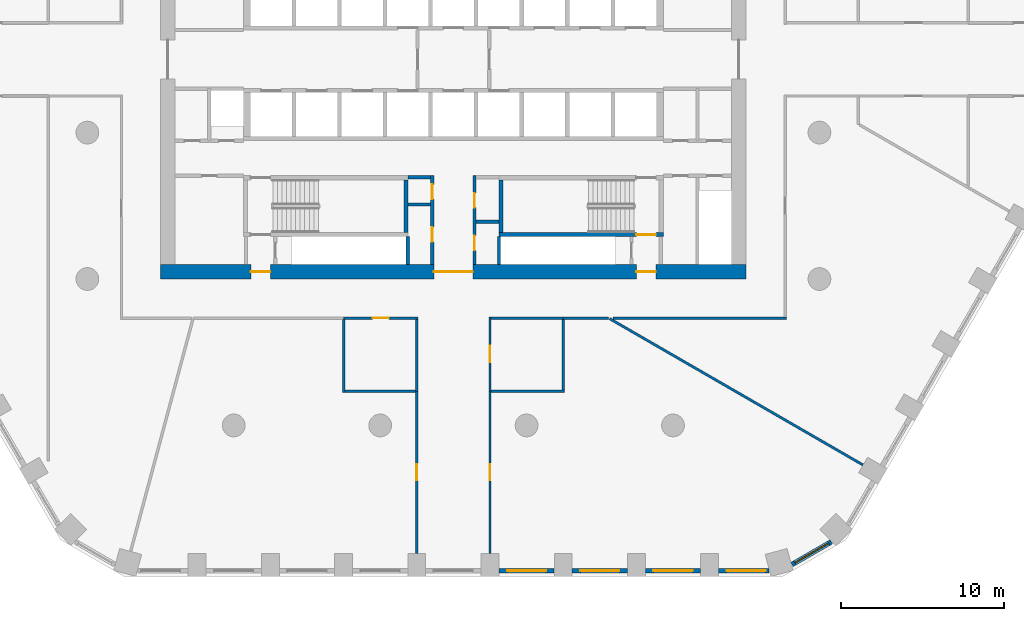
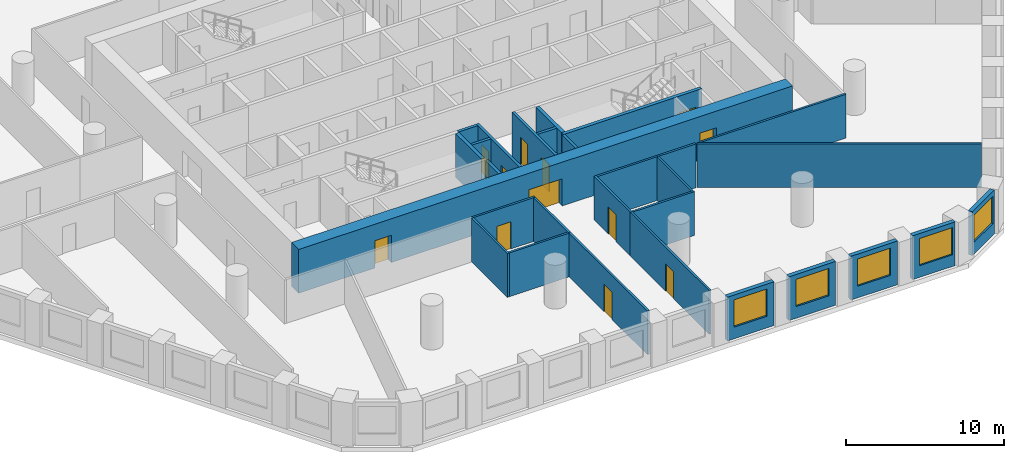
# One storey, part 3 of 10: 29 walls, 12 doors, 5 windows, 17 openings.
"""IFC4 building model written with IfcOpenShell, lengths in metres."""

from ifc_helpers import new_model, si_unit, direction, frame, frame_2d, origin, place, context, subcontext, project, spatial, rectangle, extrude, material, layer, layer_set, type_object, element, fill, save


model = new_model("IFC4")

# Units and contexts
model_context = context("Model", 3, precision=1e-05, world=origin(), true_north=direction((0.0, 1.0)))
body_context = subcontext(model_context, "Body", "Model", "MODEL_VIEW")
ifc_project = project(units=[si_unit("LENGTHUNIT", "METRE"), si_unit("AREAUNIT", "SQUARE_METRE"), si_unit("VOLUMEUNIT", "CUBIC_METRE"), si_unit("PLANEANGLEUNIT", "RADIAN"), si_unit("MASSUNIT", "GRAM", prefix="KILO")], contexts=[model_context])

# Site, building, storey
site_placement = place(None, origin())
site = spatial("IfcSite", under=ifc_project, at=site_placement, CompositionType="ELEMENT")
building_placement = place(site_placement, origin())
building = spatial("IfcBuilding", under=site, at=building_placement, Name="Dhurran Vertical Campus", CompositionType="ELEMENT")
storey_placement = place(building_placement, frame((0.0, 0.0, 72.89990234375)))
storey = spatial("IfcBuildingStorey", under=building, at=storey_placement, Name="L17", CompositionType="ELEMENT", Elevation=72.89990234375)

# Wall, opening, window
ifc_material_1 = material(Name="Precast concrete C50/60", Category="concrete")
ifc_layer_1 = layer(ifc_material_1, 0.300048828125)
ifc_layer_set_1 = layer_set([ifc_layer_1], Name="Precast concrete C50/60")
wall_type_1 = type_object("IfcWallType", Name="Precast spandrel wall 300", PredefinedType="SOLIDWALL", material=ifc_layer_set_1)
wall_1_placement = place(storey_placement, frame((2.800537109375, -31.4296875, 0.0), z_axis=(0.0, 0.0, 1.0), x_axis=(1.0, 0.0, 0.0)))
wall_1 = element("IfcWall", 1, at=wall_1_placement, inside=storey, type_object=wall_type_1, Name="EW1 L17.05", PredefinedType="SOLIDWALL", context=body_context, shape_type="SweptSolid", body=[
    extrude(rectangle(XDim=3.39892578125, YDim=0.300048828125, at=frame_2d((1.699462890625, 0.0))), origin(), (0.0, 0.0, 1.0), 3.375),
])
opening_1_placement = place(wall_1_placement, frame((0.49951171875, 0.0, 0.89990234375)))
opening_1 = element("IfcOpeningElement", 2, at=opening_1_placement, cuts=wall_1, Name="Opening WT1", PredefinedType="OPENING", context=body_context, shape_type="SweptSolid", body=[
    extrude(rectangle(XDim=2.39990234375, YDim=2.10009765625, at=frame_2d((1.199951171875, 1.050048828125))), frame((0.0, 0.159912109375, 0.0), z_axis=(0.0, -1.0, 0.0), x_axis=(1.0, 0.0, 0.0)), (0.0, 0.0, 1.0), 0.320068359375),
])
ifc_material_2 = material(Name="Aluminium frame with solar-control glass", Category="aluminium")
window_type = type_object("IfcWindowType", Name="Punched window 2400 x 2100", PartitioningType="SINGLE_PANEL", PredefinedType="WINDOW", material=ifc_material_2)
window_1_placement = place(opening_1_placement, origin())
window_1 = element("IfcWindow", 3, at=window_1_placement, inside=storey, type_object=window_type, Name="WT1 L17.05", OverallHeight=2.10009765625, OverallWidth=2.39990234375, PartitioningType="SINGLE_PANEL", PredefinedType="WINDOW", context=body_context, shape_type="SweptSolid", body=[
    extrude(rectangle(XDim=2.39990234375, YDim=2.10009765625, at=frame_2d((1.199951171875, 1.050048828125))), frame((0.0, 0.030029296875, 0.0), z_axis=(0.0, -1.0, 0.0), x_axis=(1.0, 0.0, 0.0)), (0.0, 0.0, 1.0), 0.06005859375),
])
fill(opening_1, window_1)

wall_2_placement = place(storey_placement, frame((7.300537109375, -31.4296875, 0.0), z_axis=(0.0, 0.0, 1.0), x_axis=(1.0, 0.0, 0.0)))
wall_2 = element("IfcWall", 4, at=wall_2_placement, inside=storey, type_object=wall_type_1, Name="EW1 L17.06", PredefinedType="SOLIDWALL", context=body_context, shape_type="SweptSolid", body=[
    extrude(rectangle(XDim=3.39892578125, YDim=0.300048828125, at=frame_2d((1.699462890625, 0.0))), origin(), (0.0, 0.0, 1.0), 3.375),
])
opening_2_placement = place(wall_2_placement, frame((0.49951171875, 0.0, 0.89990234375)))
opening_2 = element("IfcOpeningElement", 5, at=opening_2_placement, cuts=wall_2, Name="Opening WT1", PredefinedType="OPENING", context=body_context, shape_type="SweptSolid", body=[
    extrude(rectangle(XDim=2.39990234375, YDim=2.10009765625, at=frame_2d((1.199951171875, 1.050048828125))), frame((0.0, 0.159912109375, 0.0), z_axis=(0.0, -1.0, 0.0), x_axis=(1.0, 0.0, 0.0)), (0.0, 0.0, 1.0), 0.320068359375),
])
window_2_placement = place(opening_2_placement, origin())
window_2 = element("IfcWindow", 6, at=window_2_placement, inside=storey, type_object=window_type, Name="WT1 L17.06", OverallHeight=2.10009765625, OverallWidth=2.39990234375, PartitioningType="SINGLE_PANEL", PredefinedType="WINDOW", context=body_context, shape_type="SweptSolid", body=[
    extrude(rectangle(XDim=2.39990234375, YDim=2.10009765625, at=frame_2d((1.199951171875, 1.050048828125))), frame((0.0, 0.030029296875, 0.0), z_axis=(0.0, -1.0, 0.0), x_axis=(1.0, 0.0, 0.0)), (0.0, 0.0, 1.0), 0.06005859375),
])
fill(opening_2, window_2)

wall_3_placement = place(storey_placement, frame((11.800537109375, -31.4296875, 0.0), z_axis=(0.0, 0.0, 1.0), x_axis=(1.0, 0.0, 0.0)))
wall_3 = element("IfcWall", 7, at=wall_3_placement, inside=storey, type_object=wall_type_1, Name="EW1 L17.07", PredefinedType="SOLIDWALL", context=body_context, shape_type="SweptSolid", body=[
    extrude(rectangle(XDim=3.39892578125, YDim=0.300048828125, at=frame_2d((1.699462890625, 0.0))), origin(), (0.0, 0.0, 1.0), 3.375),
])
opening_3_placement = place(wall_3_placement, frame((0.49951171875, 0.0, 0.89990234375)))
opening_3 = element("IfcOpeningElement", 8, at=opening_3_placement, cuts=wall_3, Name="Opening WT1", PredefinedType="OPENING", context=body_context, shape_type="SweptSolid", body=[
    extrude(rectangle(XDim=2.39990234375, YDim=2.10009765625, at=frame_2d((1.199951171875, 1.050048828125))), frame((0.0, 0.159912109375, 0.0), z_axis=(0.0, -1.0, 0.0), x_axis=(1.0, 0.0, 0.0)), (0.0, 0.0, 1.0), 0.320068359375),
])
window_3_placement = place(opening_3_placement, origin())
window_3 = element("IfcWindow", 9, at=window_3_placement, inside=storey, type_object=window_type, Name="WT1 L17.07", OverallHeight=2.10009765625, OverallWidth=2.39990234375, PartitioningType="SINGLE_PANEL", PredefinedType="WINDOW", context=body_context, shape_type="SweptSolid", body=[
    extrude(rectangle(XDim=2.39990234375, YDim=2.10009765625, at=frame_2d((1.199951171875, 1.050048828125))), frame((0.0, 0.030029296875, 0.0), z_axis=(0.0, -1.0, 0.0), x_axis=(1.0, 0.0, 0.0)), (0.0, 0.0, 1.0), 0.06005859375),
])
fill(opening_3, window_3)

wall_4_placement = place(storey_placement, frame((16.300537109375, -31.4296875, 0.0), z_axis=(0.0, 0.0, 1.0), x_axis=(1.0, 0.0, 0.0)))
wall_4 = element("IfcWall", 10, at=wall_4_placement, inside=storey, type_object=wall_type_1, Name="EW1 L17.08", PredefinedType="SOLIDWALL", context=body_context, shape_type="SweptSolid", body=[
    extrude(rectangle(XDim=3.090576171875, YDim=0.300048828125, at=frame_2d((1.54541015625, 0.0))), origin(), (0.0, 0.0, 1.0), 3.375),
])
opening_4_placement = place(wall_4_placement, frame((0.49951171875, 0.0, 0.89990234375)))
opening_4 = element("IfcOpeningElement", 11, at=opening_4_placement, cuts=wall_4, Name="Opening WT1", PredefinedType="OPENING", context=body_context, shape_type="SweptSolid", body=[
    extrude(rectangle(XDim=2.39990234375, YDim=2.10009765625, at=frame_2d((1.199951171875, 1.050048828125))), frame((0.0, 0.159912109375, 0.0), z_axis=(0.0, -1.0, 0.0), x_axis=(1.0, 0.0, 0.0)), (0.0, 0.0, 1.0), 0.320068359375),
])
window_4_placement = place(opening_4_placement, origin())
window_4 = element("IfcWindow", 12, at=window_4_placement, inside=storey, type_object=window_type, Name="WT1 L17.08", OverallHeight=2.10009765625, OverallWidth=2.39990234375, PartitioningType="SINGLE_PANEL", PredefinedType="WINDOW", context=body_context, shape_type="SweptSolid", body=[
    extrude(rectangle(XDim=2.39990234375, YDim=2.10009765625, at=frame_2d((1.199951171875, 1.050048828125))), frame((0.0, 0.030029296875, 0.0), z_axis=(0.0, -1.0, 0.0), x_axis=(1.0, 0.0, 0.0)), (0.0, 0.0, 1.0), 0.06005859375),
])
fill(opening_4, window_4)

wall_5_placement = place(storey_placement, frame((20.81884765625, -31.047119140625, 0.0), z_axis=(0.0, 0.0, 1.0), x_axis=(0.866020456713, 0.500008568482, 0.0)))
wall_5 = element("IfcWall", 13, at=wall_5_placement, inside=storey, type_object=wall_type_1, Name="EW1 L17.09", PredefinedType="SOLIDWALL", context=body_context, shape_type="SweptSolid", body=[
    extrude(rectangle(XDim=2.7822265625, YDim=0.300048828125, at=frame_2d((1.39111328125, 0.0))), origin(), (0.0, 0.0, 1.0), 3.375),
])
opening_5_placement = place(wall_5_placement, frame((0.191162109375, 0.0, 0.89990234375)))
opening_5 = element("IfcOpeningElement", 14, at=opening_5_placement, cuts=wall_5, Name="Opening WT1", PredefinedType="OPENING", context=body_context, shape_type="SweptSolid", body=[
    extrude(rectangle(XDim=2.39990234375, YDim=2.10009765625, at=frame_2d((1.199951171875, 1.050048828125))), frame((0.0, 0.159912109375, 0.0), z_axis=(0.0, -1.0, 0.0), x_axis=(1.0, 0.0, 0.0)), (0.0, 0.0, 1.0), 0.320068359375),
])
window_5_placement = place(opening_5_placement, origin())
window_5 = element("IfcWindow", 15, at=window_5_placement, inside=storey, type_object=window_type, Name="WT1 L17.09", OverallHeight=2.10009765625, OverallWidth=2.39990234375, PartitioningType="SINGLE_PANEL", PredefinedType="WINDOW", context=body_context, shape_type="SweptSolid", body=[
    extrude(rectangle(XDim=2.39990234375, YDim=2.10009765625, at=frame_2d((1.199951171875, 1.050048828125))), frame((0.0, 0.030029296875, 0.0), z_axis=(0.0, -1.0, 0.0), x_axis=(1.0, 0.0, 0.0)), (0.0, 0.0, 1.0), 0.06005859375),
])
fill(opening_5, window_5)

# Wall, openings, doors
ifc_material_3 = material(Name="Concrete C60/75", Category="concrete")
ifc_layer_2 = layer(ifc_material_3, 0.89990234375)
ifc_layer_set_2 = layer_set([ifc_layer_2], Name="Concrete C60/75")
wall_type_2 = type_object("IfcWallType", Name="co-CORE-WALL-C0-900", PredefinedType="SHEAR", material=ifc_layer_set_2)
wall_6_placement = place(storey_placement, frame((-18.0, -13.050048828125, 0.0), z_axis=(0.0, 0.0, 1.0), x_axis=(1.0, 0.0, 0.0)))
wall_6 = element("IfcWall", 16, at=wall_6_placement, inside=storey, type_object=wall_type_2, Name="Core wall S L17", PredefinedType="SHEAR", context=body_context, shape_type="SweptSolid", body=[
    extrude(rectangle(XDim=36.0, YDim=0.89990234375, at=frame_2d((18.0, 0.0))), origin(), (0.0, 0.0, 1.0), 3.375),
])
opening_6_placement = place(wall_6_placement, frame((16.800048828125, 0.0, 0.0)))
opening_6 = element("IfcOpeningElement", 17, at=opening_6_placement, cuts=wall_6, Name="Opening CV2", PredefinedType="OPENING", context=body_context, shape_type="SweptSolid", body=[
    extrude(rectangle(XDim=2.39990234375, YDim=2.10009765625, at=frame_2d((1.199951171875, 1.050048828125))), frame((0.0, 0.4599609375, 0.0), z_axis=(0.0, -1.0, 0.0), x_axis=(1.0, 0.0, 0.0)), (0.0, 0.0, 1.0), 0.919921875),
])
opening_7_placement = place(wall_6_placement, frame((5.550048828125, 0.0, 0.0)))
opening_7 = element("IfcOpeningElement", 18, at=opening_7_placement, cuts=wall_6, Name="Opening XD3", PredefinedType="OPENING", context=body_context, shape_type="SweptSolid", body=[
    extrude(rectangle(XDim=1.199951171875, YDim=2.10009765625, at=frame_2d((0.60009765625, 1.050048828125))), frame((0.0, 0.4599609375, 0.0), z_axis=(0.0, -1.0, 0.0), x_axis=(1.0, 0.0, 0.0)), (0.0, 0.0, 1.0), 0.919921875),
])
opening_8_placement = place(wall_6_placement, frame((29.25, 0.0, 0.0)))
opening_8 = element("IfcOpeningElement", 19, at=opening_8_placement, cuts=wall_6, Name="Opening XD4", PredefinedType="OPENING", context=body_context, shape_type="SweptSolid", body=[
    extrude(rectangle(XDim=1.199951171875, YDim=2.10009765625, at=frame_2d((0.60009765625, 1.050048828125))), frame((0.0, 0.4599609375, 0.0), z_axis=(0.0, -1.0, 0.0), x_axis=(1.0, 0.0, 0.0)), (0.0, 0.0, 1.0), 0.919921875),
])
ifc_material_4 = material(Name="Fire-rated glazed door set")
door_type_1 = type_object("IfcDoorType", Name="co-D-LOBBY 2400x2100", OperationType="DOUBLE_DOOR_DOUBLE_SWING", PredefinedType="DOOR", material=ifc_material_4)
door_1_placement = place(opening_6_placement, origin())
door_1 = element("IfcDoor", 20, at=door_1_placement, inside=storey, type_object=door_type_1, Name="Core vestibule door S L17", OperationType="DOUBLE_DOOR_DOUBLE_SWING", OverallHeight=2.10009765625, OverallWidth=2.39990234375, PredefinedType="DOOR", context=body_context, shape_type="SweptSolid", body=[
    extrude(rectangle(XDim=2.39990234375, YDim=2.10009765625, at=frame_2d((1.199951171875, 1.050048828125))), frame((0.0, 0.02490234375, 0.0), z_axis=(0.0, -1.0, 0.0), x_axis=(1.0, 0.0, 0.0)), (0.0, 0.0, 1.0), 0.050048828125),
])
fill(opening_6, door_1)
ifc_material_5 = material(Name="Fire-rated steel door set", Category="steel")
door_type_2 = type_object("IfcDoorType", Name="co-D-STAIR-EXIT 1200x2100", OperationType="SINGLE_SWING_RIGHT", PredefinedType="DOOR", material=ifc_material_5)
door_2_placement = place(opening_7_placement, origin())
door_2 = element("IfcDoor", 21, at=door_2_placement, inside=storey, type_object=door_type_2, Name="Stair ST3 exit door L17", OperationType="SINGLE_SWING_RIGHT", OverallHeight=2.10009765625, OverallWidth=1.199951171875, PredefinedType="DOOR", context=body_context, shape_type="SweptSolid", body=[
    extrude(rectangle(XDim=1.199951171875, YDim=2.10009765625, at=frame_2d((0.60009765625, 1.050048828125))), frame((0.0, 0.02490234375, 0.0), z_axis=(0.0, -1.0, 0.0), x_axis=(1.0, 0.0, 0.0)), (0.0, 0.0, 1.0), 0.050048828125),
])
fill(opening_7, door_2)
door_3_placement = place(opening_8_placement, origin())
door_3 = element("IfcDoor", 22, at=door_3_placement, inside=storey, type_object=door_type_2, Name="Stair ST4 exit door L17", OperationType="SINGLE_SWING_RIGHT", OverallHeight=2.10009765625, OverallWidth=1.199951171875, PredefinedType="DOOR", context=body_context, shape_type="SweptSolid", body=[
    extrude(rectangle(XDim=1.199951171875, YDim=2.10009765625, at=frame_2d((0.60009765625, 1.050048828125))), frame((0.0, 0.02490234375, 0.0), z_axis=(0.0, -1.0, 0.0), x_axis=(1.0, 0.0, 0.0)), (0.0, 0.0, 1.0), 0.050048828125),
])
fill(opening_8, door_3)

# Walls
ifc_material_6 = material(Name="Fire-rated masonry blockwork", Category="masonry")
ifc_layer_3 = layer(ifc_material_6, 0.199951171875)
ifc_layer_set_3 = layer_set([ifc_layer_3], Name="Fire-rated masonry blockwork")
wall_type_3 = type_object("IfcWallType", Name="co-FIRE-PARTITION-200", PredefinedType="PARTITIONING", material=ifc_layer_set_3)
for number, where, z_axis, x_axis, name in (
    (23, (-2.800048828125, -7.25, 0.0), (0.0, 0.0, 1.0), (1.0, 0.0, 0.0), "Core partition sl-SW-S L17"),
    (24, (-2.800048828125, -8.925048828125, 0.0), (0.0, 0.0, 1.0), (1.0, 0.0, 0.0), "Core partition sl-SW-cut0 L17"),
    (25, (1.39990234375, -9.97509765625, 0.0), (0.0, 0.0, 1.0), (1.0, 0.0, 0.0), "Core partition sl-SE-cut0 L17"),
):
    element("IfcWall", number, at=place(storey_placement, frame(where, z_axis=z_axis, x_axis=x_axis)), inside=storey, type_object=wall_type_3, Name=name, PredefinedType="PARTITIONING", context=body_context, shape_type="SweptSolid", body=[
        extrude(rectangle(XDim=1.400146484375, YDim=0.199951171875, at=frame_2d((0.7001953125, 0.0))), origin(), (0.0, 0.0, 1.0), 3.375),
    ])

# Wall, openings, doors
wall_7_placement = place(storey_placement, frame((-1.300048828125, -12.60009765625, 0.0), z_axis=(0.0, 0.0, 1.0), x_axis=(0.0, 1.0, 0.0)))
wall_7 = element("IfcWall", 26, at=wall_7_placement, inside=storey, type_object=wall_type_3, Name="Core partition vest-SW L17", PredefinedType="PARTITIONING", context=body_context, shape_type="SweptSolid", body=[
    extrude(rectangle(XDim=5.4501953125, YDim=0.199951171875, at=frame_2d((2.72509765625, 0.0))), origin(), (0.0, 0.0, 1.0), 3.375),
])
opening_9_placement = place(wall_7_placement, frame((1.387451171875, 0.0, 0.0)))
opening_9 = element("IfcOpeningElement", 27, at=opening_9_placement, cuts=wall_7, Name="Opening T04-C1", PredefinedType="OPENING", context=body_context, shape_type="SweptSolid", body=[
    extrude(rectangle(XDim=0.89990234375, YDim=2.10009765625, at=frame_2d((0.449951171875, 1.050048828125))), frame((0.0, 0.10986328125, 0.0), z_axis=(0.0, -1.0, 0.0), x_axis=(1.0, 0.0, 0.0)), (0.0, 0.0, 1.0), 0.219970703125),
])
opening_10_placement = place(wall_7_placement, frame((4.012451171875, 0.0, 0.0)))
opening_10 = element("IfcOpeningElement", 28, at=opening_10_placement, cuts=wall_7, Name="Opening T04-C2", PredefinedType="OPENING", context=body_context, shape_type="SweptSolid", body=[
    extrude(rectangle(XDim=0.89990234375, YDim=2.10009765625, at=frame_2d((0.449951171875, 1.050048828125))), frame((0.0, 0.10986328125, 0.0), z_axis=(0.0, -1.0, 0.0), x_axis=(1.0, 0.0, 0.0)), (0.0, 0.0, 1.0), 0.219970703125),
])
ifc_material_7 = material(Name="Fire-rated timber door set", Category="wood")
door_type_3 = type_object("IfcDoorType", Name="co-D-ROOM 900x2100", OperationType="SINGLE_SWING_LEFT", PredefinedType="DOOR", material=ifc_material_7)
door_4_placement = place(opening_9_placement, origin())
door_4 = element("IfcDoor", 29, at=door_4_placement, inside=storey, type_object=door_type_3, Name="Housekeeping store door L17", OperationType="SINGLE_SWING_LEFT", OverallHeight=2.10009765625, OverallWidth=0.89990234375, PredefinedType="DOOR", context=body_context, shape_type="SweptSolid", body=[
    extrude(rectangle(XDim=0.89990234375, YDim=2.10009765625, at=frame_2d((0.449951171875, 1.050048828125))), frame((0.0, 0.02490234375, 0.0), z_axis=(0.0, -1.0, 0.0), x_axis=(1.0, 0.0, 0.0)), (0.0, 0.0, 1.0), 0.050048828125),
])
fill(opening_9, door_4)
door_5_placement = place(opening_10_placement, origin())
door_5 = element("IfcDoor", 30, at=door_5_placement, inside=storey, type_object=door_type_3, Name="Server room door L17", OperationType="SINGLE_SWING_LEFT", OverallHeight=2.10009765625, OverallWidth=0.89990234375, PredefinedType="DOOR", context=body_context, shape_type="SweptSolid", body=[
    extrude(rectangle(XDim=0.89990234375, YDim=2.10009765625, at=frame_2d((0.449951171875, 1.050048828125))), frame((0.0, 0.02490234375, 0.0), z_axis=(0.0, -1.0, 0.0), x_axis=(1.0, 0.0, 0.0)), (0.0, 0.0, 1.0), 0.050048828125),
])
fill(opening_10, door_5)

wall_8_placement = place(storey_placement, frame((1.300048828125, -12.60009765625, 0.0), z_axis=(0.0, 0.0, 1.0), x_axis=(0.0, 1.0, 0.0)))
wall_8 = element("IfcWall", 31, at=wall_8_placement, inside=storey, type_object=wall_type_3, Name="Core partition vest-SE L17", PredefinedType="PARTITIONING", context=body_context, shape_type="SweptSolid", body=[
    extrude(rectangle(XDim=5.4501953125, YDim=0.199951171875, at=frame_2d((2.72509765625, 0.0))), origin(), (0.0, 0.0, 1.0), 3.375),
])
opening_11_placement = place(wall_8_placement, frame((0.862548828125, 0.0, 0.0)))
opening_11 = element("IfcOpeningElement", 32, at=opening_11_placement, cuts=wall_8, Name="Opening T04-C3", PredefinedType="OPENING", context=body_context, shape_type="SweptSolid", body=[
    extrude(rectangle(XDim=0.89990234375, YDim=2.10009765625, at=frame_2d((0.449951171875, 1.050048828125))), frame((0.0, 0.10986328125, 0.0), z_axis=(0.0, -1.0, 0.0), x_axis=(1.0, 0.0, 0.0)), (0.0, 0.0, 1.0), 0.219970703125),
])
opening_12_placement = place(wall_8_placement, frame((3.487548828125, 0.0, 0.0)))
opening_12 = element("IfcOpeningElement", 33, at=opening_12_placement, cuts=wall_8, Name="Opening T04-C4", PredefinedType="OPENING", context=body_context, shape_type="SweptSolid", body=[
    extrude(rectangle(XDim=0.89990234375, YDim=2.10009765625, at=frame_2d((0.449951171875, 1.050048828125))), frame((0.0, 0.10986328125, 0.0), z_axis=(0.0, -1.0, 0.0), x_axis=(1.0, 0.0, 0.0)), (0.0, 0.0, 1.0), 0.219970703125),
])
door_6_placement = place(opening_11_placement, origin())
door_6 = element("IfcDoor", 34, at=door_6_placement, inside=storey, type_object=door_type_3, Name="Communications room door L17", OperationType="SINGLE_SWING_LEFT", OverallHeight=2.10009765625, OverallWidth=0.89990234375, PredefinedType="DOOR", context=body_context, shape_type="SweptSolid", body=[
    extrude(rectangle(XDim=0.89990234375, YDim=2.10009765625, at=frame_2d((0.449951171875, 1.050048828125))), frame((0.0, 0.02490234375, 0.0), z_axis=(0.0, -1.0, 0.0), x_axis=(1.0, 0.0, 0.0)), (0.0, 0.0, 1.0), 0.050048828125),
])
fill(opening_11, door_6)
door_7_placement = place(opening_12_placement, origin())
door_7 = element("IfcDoor", 35, at=door_7_placement, inside=storey, type_object=door_type_3, Name="Fire equipment store door L17", OperationType="SINGLE_SWING_LEFT", OverallHeight=2.10009765625, OverallWidth=0.89990234375, PredefinedType="DOOR", context=body_context, shape_type="SweptSolid", body=[
    extrude(rectangle(XDim=0.89990234375, YDim=2.10009765625, at=frame_2d((0.449951171875, 1.050048828125))), frame((0.0, 0.02490234375, 0.0), z_axis=(0.0, -1.0, 0.0), x_axis=(1.0, 0.0, 0.0)), (0.0, 0.0, 1.0), 0.050048828125),
])
fill(opening_12, door_7)

# Walls
for number, where, z_axis, x_axis, name in (
    (36, (-2.800048828125, -12.59912109375, 0.0), (0.0, 0.0, 1.0), (0.0, 1.0, 0.0), "Riser enclosure wall L17"),
    (37, (2.800048828125, -10.90087890625, 0.0), (0.0, 0.0, 1.0), (0.0, -1.0, 0.0), "Riser enclosure wall L17"),
):
    element("IfcWall", number, at=place(storey_placement, frame(where, z_axis=z_axis, x_axis=x_axis)), inside=storey, type_object=wall_type_3, Name=name, PredefinedType="PARTITIONING", context=body_context, shape_type="SweptSolid", body=[
        extrude(rectangle(XDim=1.6982421875, YDim=0.199951171875, at=frame_2d((0.84912109375, 0.0))), origin(), (0.0, 0.0, 1.0), 3.375),
    ])
ifc_material_8 = material(Name="Concrete C40/50", Category="concrete")
ifc_layer_4 = layer(ifc_material_8, 0.25)
ifc_layer_set_4 = layer_set([ifc_layer_4], Name="Concrete C40/50")
wall_type_4 = type_object("IfcWallType", Name="co-STAIR-WALL-250", PredefinedType="SHEAR", material=ifc_layer_set_4)
wall_9_placement = place(storey_placement, frame((-2.925048828125, -10.64990234375, 0.0), z_axis=(0.0, 0.0, 1.0), x_axis=(0.0, 1.0, 0.0)))
element("IfcWall", 38, at=wall_9_placement, inside=storey, type_object=wall_type_4, Name="Stair ST3 enclosure wall L17", PredefinedType="SHEAR", context=body_context, shape_type="SweptSolid", body=[
    extrude(rectangle(XDim=3.25, YDim=0.25, at=frame_2d((1.625, 0.0))), origin(), (0.0, 0.0, 1.0), 3.375),
])

# Wall, opening, door
wall_10_placement = place(storey_placement, frame((2.800048828125, -10.77490234375, 0.0), z_axis=(0.0, 0.0, 1.0), x_axis=(1.0, 0.0, 0.0)))
wall_10 = element("IfcWall", 39, at=wall_10_placement, inside=storey, type_object=wall_type_4, Name="Stair ST4 enclosure wall L17", PredefinedType="SHEAR", context=body_context, shape_type="SweptSolid", body=[
    extrude(rectangle(XDim=10.099853515625, YDim=0.25, at=frame_2d((5.0498046875, 0.0))), origin(), (0.0, 0.0, 1.0), 3.375),
])
opening_13_placement = place(wall_10_placement, frame((8.449951171875, 0.0, 0.0)))
opening_13 = element("IfcOpeningElement", 40, at=opening_13_placement, cuts=wall_10, Name="Opening XS4", PredefinedType="OPENING", context=body_context, shape_type="SweptSolid", body=[
    extrude(rectangle(XDim=1.199951171875, YDim=2.10009765625, at=frame_2d((0.60009765625, 1.050048828125))), frame((0.0, 0.135009765625, 0.0), z_axis=(0.0, -1.0, 0.0), x_axis=(1.0, 0.0, 0.0)), (0.0, 0.0, 1.0), 0.27001953125),
])
door_8_placement = place(opening_13_placement, origin())
door_8 = element("IfcDoor", 41, at=door_8_placement, inside=storey, type_object=door_type_2, Name="Stair ST4 discharge door L17", OperationType="SINGLE_SWING_RIGHT", OverallHeight=2.10009765625, OverallWidth=1.199951171875, PredefinedType="DOOR", context=body_context, shape_type="SweptSolid", body=[
    extrude(rectangle(XDim=1.199951171875, YDim=2.10009765625, at=frame_2d((0.60009765625, 1.050048828125))), frame((0.0, 0.02490234375, 0.0), z_axis=(0.0, -1.0, 0.0), x_axis=(1.0, 0.0, 0.0)), (0.0, 0.0, 1.0), 0.050048828125),
])
fill(opening_13, door_8)

# Wall
wall_11_placement = place(storey_placement, frame((2.925048828125, -10.64990234375, 0.0), z_axis=(0.0, 0.0, 1.0), x_axis=(0.0, 1.0, 0.0)))
element("IfcWall", 42, at=wall_11_placement, inside=storey, type_object=wall_type_4, Name="Stair ST4 enclosure wall L17", PredefinedType="SHEAR", context=body_context, shape_type="SweptSolid", body=[
    extrude(rectangle(XDim=3.25, YDim=0.25, at=frame_2d((1.625, 0.0))), origin(), (0.0, 0.0, 1.0), 3.375),
])

# Wall, opening, door
ifc_material_9 = material(Name="Gypsum board corridor wall on steel studs", Category="steel")
ifc_layer_5 = layer(ifc_material_9, 0.14990234375)
ifc_layer_set_5 = layer_set([ifc_layer_5], Name="Gypsum board corridor wall on steel studs")
wall_type_5 = type_object("IfcWallType", Name="fl-CW-150 corridor wall", PredefinedType="PARTITIONING", material=ifc_layer_set_5)
wall_12_placement = place(storey_placement, frame((-6.75, -15.89990234375, 0.0), z_axis=(0.0, 0.0, 1.0), x_axis=(1.0, 0.0, 0.0)))
wall_12 = element("IfcWall", 43, at=wall_12_placement, inside=storey, type_object=wall_type_5, Name="Partition 17-21", PredefinedType="PARTITIONING", context=body_context, shape_type="SweptSolid", body=[
    extrude(rectangle(XDim=4.574951171875, YDim=0.14990234375, at=frame_2d((2.28759765625, 0.0))), origin(), (0.0, 0.0, 1.0), 3.375),
])
opening_14_placement = place(wall_12_placement, frame((1.78759765625, 0.0, 0.0)))
opening_14 = element("IfcOpeningElement", 44, at=opening_14_placement, cuts=wall_12, Name="Opening T04.08", PredefinedType="OPENING", context=body_context, shape_type="SweptSolid", body=[
    extrude(rectangle(XDim=1.0, YDim=2.10009765625, at=frame_2d((0.5, 1.050048828125))), frame((0.0, 0.0849609375, 0.0), z_axis=(0.0, -1.0, 0.0), x_axis=(1.0, 0.0, 0.0)), (0.0, 0.0, 1.0), 0.169921875),
])
ifc_material_10 = material(Name="Solid-core timber door set, fire-rated", Category="wood")
door_type_4 = type_object("IfcDoorType", Name="fl-D-1000x2100", OperationType="SINGLE_SWING_LEFT", PredefinedType="DOOR", material=ifc_material_10)
door_9_placement = place(opening_14_placement, origin())
door_9 = element("IfcDoor", 45, at=door_9_placement, inside=storey, type_object=door_type_4, Name="Door 17.08", OperationType="SINGLE_SWING_LEFT", OverallHeight=2.10009765625, OverallWidth=1.0, PredefinedType="DOOR", context=body_context, shape_type="SweptSolid", body=[
    extrude(rectangle(XDim=1.0, YDim=2.10009765625, at=frame_2d((0.5, 1.050048828125))), frame((0.0, 0.02490234375, 0.0), z_axis=(0.0, -1.0, 0.0), x_axis=(1.0, 0.0, 0.0)), (0.0, 0.0, 1.0), 0.050048828125),
])
fill(opening_14, door_9)

wall_13_placement = place(storey_placement, frame((-2.25, -30.35986328125, 0.0), z_axis=(0.0, 0.0, 1.0), x_axis=(0.0, 1.0, 0.0)))
wall_13 = element("IfcWall", 46, at=wall_13_placement, inside=storey, type_object=wall_type_5, Name="Partition 17-22", PredefinedType="PARTITIONING", context=body_context, shape_type="SweptSolid", body=[
    extrude(rectangle(XDim=9.9599609375, YDim=0.14990234375, at=frame_2d((4.97998046875, 0.0))), origin(), (0.0, 0.0, 1.0), 3.375),
])
opening_15_placement = place(wall_13_placement, frame((4.47998046875, 0.0, 0.0)))
opening_15 = element("IfcOpeningElement", 47, at=opening_15_placement, cuts=wall_13, Name="Opening T04.07", PredefinedType="OPENING", context=body_context, shape_type="SweptSolid", body=[
    extrude(rectangle(XDim=1.0, YDim=2.10009765625, at=frame_2d((0.5, 1.050048828125))), frame((0.0, 0.0849609375, 0.0), z_axis=(0.0, -1.0, 0.0), x_axis=(1.0, 0.0, 0.0)), (0.0, 0.0, 1.0), 0.169921875),
])
door_10_placement = place(opening_15_placement, origin())
door_10 = element("IfcDoor", 48, at=door_10_placement, inside=storey, type_object=door_type_4, Name="Door 17.07", OperationType="SINGLE_SWING_RIGHT", OverallHeight=2.10009765625, OverallWidth=1.0, PredefinedType="DOOR", context=body_context, shape_type="SweptSolid", body=[
    extrude(rectangle(XDim=1.0, YDim=2.10009765625, at=frame_2d((0.5, 1.050048828125))), frame((0.0, 0.02490234375, 0.0), z_axis=(0.0, -1.0, 0.0), x_axis=(1.0, 0.0, 0.0)), (0.0, 0.0, 1.0), 0.050048828125),
])
fill(opening_15, door_10)

# Wall
wall_14_placement = place(storey_placement, frame((-2.25, -20.39990234375, 0.0), z_axis=(0.0, 0.0, 1.0), x_axis=(0.0, 1.0, 0.0)))
element("IfcWall", 49, at=wall_14_placement, inside=storey, type_object=wall_type_5, Name="Partition 17-23", PredefinedType="PARTITIONING", context=body_context, shape_type="SweptSolid", body=[
    extrude(rectangle(XDim=4.4248046875, YDim=0.14990234375, at=frame_2d((2.21240234375, 0.0))), origin(), (0.0, 0.0, 1.0), 3.375),
])

# Wall, opening, door
wall_15_placement = place(storey_placement, frame((2.25, -20.39990234375, 0.0), z_axis=(0.0, 0.0, 1.0), x_axis=(0.0, -1.0, 0.0)))
wall_15 = element("IfcWall", 50, at=wall_15_placement, inside=storey, type_object=wall_type_5, Name="Partition 17-24", PredefinedType="PARTITIONING", context=body_context, shape_type="SweptSolid", body=[
    extrude(rectangle(XDim=9.9599609375, YDim=0.14990234375, at=frame_2d((4.97998046875, 0.0))), origin(), (0.0, 0.0, 1.0), 3.375),
])
opening_16_placement = place(wall_15_placement, frame((4.47998046875, 0.0, 0.0)))
opening_16 = element("IfcOpeningElement", 51, at=opening_16_placement, cuts=wall_15, Name="Opening T04.11", PredefinedType="OPENING", context=body_context, shape_type="SweptSolid", body=[
    extrude(rectangle(XDim=1.0, YDim=2.10009765625, at=frame_2d((0.5, 1.050048828125))), frame((0.0, 0.0849609375, 0.0), z_axis=(0.0, -1.0, 0.0), x_axis=(1.0, 0.0, 0.0)), (0.0, 0.0, 1.0), 0.169921875),
])
door_11_placement = place(opening_16_placement, origin())
door_11 = element("IfcDoor", 52, at=door_11_placement, inside=storey, type_object=door_type_4, Name="Door 17.11", OperationType="SINGLE_SWING_LEFT", OverallHeight=2.10009765625, OverallWidth=1.0, PredefinedType="DOOR", context=body_context, shape_type="SweptSolid", body=[
    extrude(rectangle(XDim=1.0, YDim=2.10009765625, at=frame_2d((0.5, 1.050048828125))), frame((0.0, 0.02490234375, 0.0), z_axis=(0.0, -1.0, 0.0), x_axis=(1.0, 0.0, 0.0)), (0.0, 0.0, 1.0), 0.050048828125),
])
fill(opening_16, door_11)

wall_16_placement = place(storey_placement, frame((2.25, -15.824951171875, 0.0), z_axis=(0.0, 0.0, 1.0), x_axis=(0.0, -1.0, 0.0)))
wall_16 = element("IfcWall", 53, at=wall_16_placement, inside=storey, type_object=wall_type_5, Name="Partition 17-25", PredefinedType="PARTITIONING", context=body_context, shape_type="SweptSolid", body=[
    extrude(rectangle(XDim=4.574951171875, YDim=0.14990234375, at=frame_2d((2.28759765625, 0.0))), origin(), (0.0, 0.0, 1.0), 3.375),
])
opening_17_placement = place(wall_16_placement, frame((1.78759765625, 0.0, 0.0)))
opening_17 = element("IfcOpeningElement", 54, at=opening_17_placement, cuts=wall_16, Name="Opening T04.10", PredefinedType="OPENING", context=body_context, shape_type="SweptSolid", body=[
    extrude(rectangle(XDim=1.0, YDim=2.10009765625, at=frame_2d((0.5, 1.050048828125))), frame((0.0, 0.0849609375, 0.0), z_axis=(0.0, -1.0, 0.0), x_axis=(1.0, 0.0, 0.0)), (0.0, 0.0, 1.0), 0.169921875),
])
door_12_placement = place(opening_17_placement, origin())
door_12 = element("IfcDoor", 55, at=door_12_placement, inside=storey, type_object=door_type_4, Name="Door 17.10", OperationType="SINGLE_SWING_RIGHT", OverallHeight=2.10009765625, OverallWidth=1.0, PredefinedType="DOOR", context=body_context, shape_type="SweptSolid", body=[
    extrude(rectangle(XDim=1.0, YDim=2.10009765625, at=frame_2d((0.5, 1.050048828125))), frame((0.0, 0.02490234375, 0.0), z_axis=(0.0, -1.0, 0.0), x_axis=(1.0, 0.0, 0.0)), (0.0, 0.0, 1.0), 0.050048828125),
])
fill(opening_17, door_12)

# Walls
wall_17_placement = place(storey_placement, frame((2.324951171875, -15.89990234375, 0.0), z_axis=(0.0, 0.0, 1.0), x_axis=(1.0, 0.0, 0.0)))
element("IfcWall", 56, at=wall_17_placement, inside=storey, type_object=wall_type_5, Name="Partition 17-27", PredefinedType="PARTITIONING", context=body_context, shape_type="SweptSolid", body=[
    extrude(rectangle(XDim=4.425048828125, YDim=0.14990234375, at=frame_2d((2.21240234375, 0.0))), origin(), (0.0, 0.0, 1.0), 3.375),
])
wall_18_placement = place(storey_placement, frame((6.75, -15.89990234375, 0.0), z_axis=(0.0, 0.0, 1.0), x_axis=(1.0, 0.0, 0.0)))
element("IfcWall", 57, at=wall_18_placement, inside=storey, type_object=wall_type_5, Name="Partition 17-29", PredefinedType="PARTITIONING", context=body_context, shape_type="SweptSolid", body=[
    extrude(rectangle(XDim=2.7900390625, YDim=0.14990234375, at=frame_2d((1.39501953125, 0.0))), origin(), (0.0, 0.0, 1.0), 3.375),
])
wall_19_placement = place(storey_placement, frame((9.81494140625, -15.89990234375, 0.0), z_axis=(0.0, 0.0, 1.0), x_axis=(1.0, 0.0, 0.0)))
element("IfcWall", 58, at=wall_19_placement, inside=storey, type_object=wall_type_5, Name="Partition 17-32", PredefinedType="PARTITIONING", context=body_context, shape_type="SweptSolid", body=[
    extrude(rectangle(XDim=10.66015625, YDim=0.14990234375, at=frame_2d((5.330078125, 0.0))), origin(), (0.0, 0.0, 1.0), 3.375),
])
ifc_material_11 = material(Name="Gypsum board partition on steel studs", Category="steel")
ifc_layer_6 = layer(ifc_material_11, 0.14990234375)
ifc_layer_set_6 = layer_set([ifc_layer_6], Name="Gypsum board partition on steel studs")
wall_type_6 = type_object("IfcWallType", Name="fl-PW-150 fixed partition", PredefinedType="PARTITIONING", material=ifc_layer_set_6)
wall_20_placement = place(storey_placement, frame((-6.75, -15.97509765625, 0.0), z_axis=(0.0, 0.0, 1.0), x_axis=(0.0, -1.0, 0.0)))
element("IfcWall", 59, at=wall_20_placement, inside=storey, type_object=wall_type_6, Name="Partition 17-19", PredefinedType="PARTITIONING", context=body_context, shape_type="SweptSolid", body=[
    extrude(rectangle(XDim=4.5, YDim=0.14990234375, at=frame_2d((2.25, 0.0))), origin(), (0.0, 0.0, 1.0), 3.375),
])
wall_21_placement = place(storey_placement, frame((-6.675048828125, -20.39990234375, 0.0), z_axis=(0.0, 0.0, 1.0), x_axis=(1.0, 0.0, 0.0)))
element("IfcWall", 60, at=wall_21_placement, inside=storey, type_object=wall_type_6, Name="Partition 17-20", PredefinedType="PARTITIONING", context=body_context, shape_type="SweptSolid", body=[
    extrude(rectangle(XDim=4.35009765625, YDim=0.14990234375, at=frame_2d((2.175048828125, 0.0))), origin(), (0.0, 0.0, 1.0), 3.375),
])
wall_22_placement = place(storey_placement, frame((6.824951171875, -20.39990234375, 0.0), z_axis=(0.0, 0.0, 1.0), x_axis=(-1.0, 0.0, 0.0)))
element("IfcWall", 61, at=wall_22_placement, inside=storey, type_object=wall_type_6, Name="Partition 17-26", PredefinedType="PARTITIONING", context=body_context, shape_type="SweptSolid", body=[
    extrude(rectangle(XDim=4.5, YDim=0.14990234375, at=frame_2d((2.25, 0.0))), origin(), (0.0, 0.0, 1.0), 3.375),
])
wall_23_placement = place(storey_placement, frame((6.75, -15.97509765625, 0.0), z_axis=(0.0, 0.0, 1.0), x_axis=(0.0, -1.0, 0.0)))
element("IfcWall", 62, at=wall_23_placement, inside=storey, type_object=wall_type_6, Name="Partition 17-28", PredefinedType="PARTITIONING", context=body_context, shape_type="SweptSolid", body=[
    extrude(rectangle(XDim=4.349853515625, YDim=0.14990234375, at=frame_2d((2.1748046875, 0.0))), origin(), (0.0, 0.0, 1.0), 3.375),
])
wall_24_placement = place(storey_placement, frame((9.60498046875, -15.9375, 0.0), z_axis=(0.0, 0.0, 1.0), x_axis=(0.866007979396, -0.500030178712, 0.0)))
element("IfcWall", 63, at=wall_24_placement, inside=storey, type_object=wall_type_6, Name="Partition 17-33", PredefinedType="PARTITIONING", context=body_context, shape_type="SweptSolid", body=[
    extrude(rectangle(XDim=17.97021484375, YDim=0.14990234375, at=frame_2d((8.985107421875, 0.0))), origin(), (0.0, 0.0, 1.0), 3.375),
])

save(model, "model.ifc")
